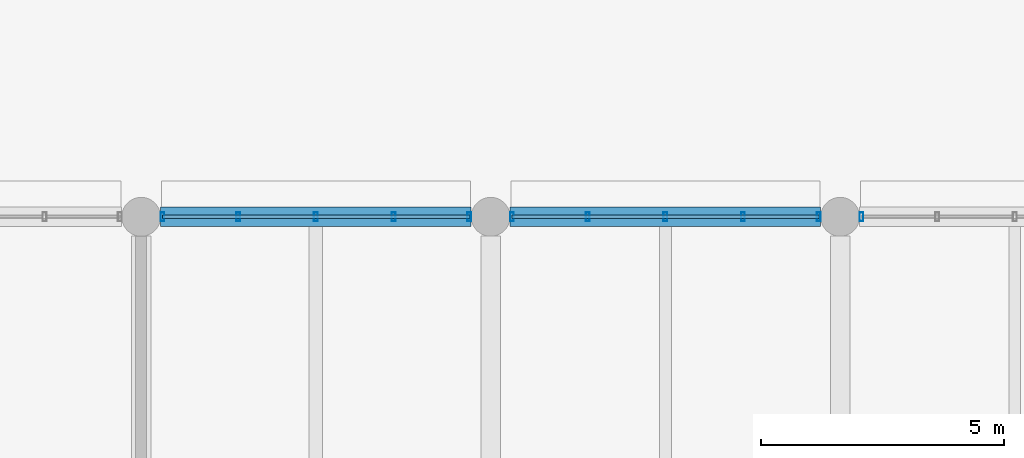
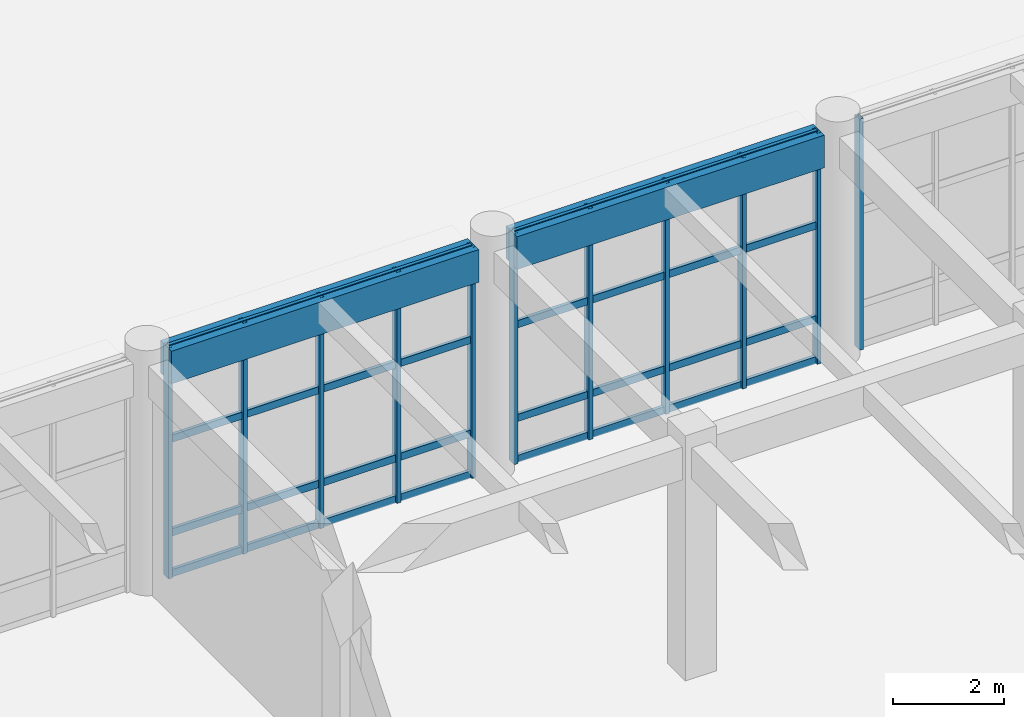
# One storey, part 50 of 160: 19 members, 2 beams, 3 elements without a shape of their own.
"""IFC4 building model written with IfcOpenShell, lengths in metres."""

from ifc_helpers import new_model, si_unit, direction, frame, origin, origin_2d, place, context, subcontext, project, spatial, rectangle, hollow_rectangle, extrude, material, material_profile, profile_set, type_object, element, aggregate, save


model = new_model("IFC4")

# Units and contexts
model_context = context("Model", 3, precision=1e-05, world=origin(), true_north=direction((0.0, 1.0)))
body_context = subcontext(model_context, "Body", "Model", "MODEL_VIEW")
ifc_project = project(units=[si_unit("LENGTHUNIT", "METRE"), si_unit("AREAUNIT", "SQUARE_METRE"), si_unit("VOLUMEUNIT", "CUBIC_METRE"), si_unit("PLANEANGLEUNIT", "RADIAN"), si_unit("MASSUNIT", "GRAM", prefix="KILO")], contexts=[model_context])

# Site, building, storey
site_placement = place(None, origin())
site = spatial("IfcSite", under=ifc_project, at=site_placement, CompositionType="ELEMENT")
building_placement = place(site_placement, origin())
building = spatial("IfcBuilding", under=site, at=building_placement, Name="Thalmaran Polytechnic", CompositionType="ELEMENT")
storey_placement = place(building_placement, origin())
storey = spatial("IfcBuildingStorey", under=building, at=storey_placement, Name="L00", CompositionType="ELEMENT", Elevation=0.0)

# Beams
ifc_material_1 = material(Name="Concrete C40/50", Category="concrete")
ifc_material_profile_1 = material_profile(ifc_material_1, rectangle(XDim=0.39990234375, YDim=0.719970703125, at=origin_2d()), Name="RC 400x720")
ifc_profile_set_1 = profile_set([ifc_material_profile_1], Name="Concrete C40/50")
beam_type = type_object("IfcBeamType", Name="BM-SP01", PredefinedType="SPANDREL", material=ifc_profile_set_1)
for number, where, z_axis, x_axis, name in (
    (1, (29.199951171875, 72.0, 4.72998046875), (1.0, 0.0, 0.0), (0.0, 1.0, 0.0), "Grid Beam SP01 L00 X(4,10)"),
    (2, (36.39990234375, 72.0, 4.72998046875), (1.0, 0.0, 0.0), (0.0, 1.0, 0.0), "Grid Beam SP01 L00 X(5,10)"),
):
    element("IfcBeam", number, at=place(storey_placement, frame(where, z_axis=z_axis, x_axis=x_axis)), inside=storey, type_object=beam_type, Name=name, PredefinedType="SPANDREL", context=body_context, shape_type="SweptSolid", body=[
        extrude(rectangle(XDim=0.39990234375, YDim=0.719970703125, at=origin_2d()), origin(), (0.0, 0.0, 1.0), 6.400146484375),
    ])

# Curtain wall, members
ifc_material_2 = material(Name="Aluminium 6063-T6", Category="aluminium")
curtain_wall_type = type_object("IfcCurtainWallType", Name="CW-SC01", PredefinedType="USERDEFINED", material=ifc_material_2)
curtain_wall_1_placement = place(storey_placement, origin())
curtain_wall_1 = element("IfcCurtainWall", 3, at=curtain_wall_1_placement, inside=storey, type_object=curtain_wall_type, Name="Curtain Wall CW-L00-027", ObjectType="STICK CURTAIN WALL", PredefinedType="USERDEFINED")
ifc_material_profile_2 = material_profile(ifc_material_2, hollow_rectangle(XDim=0.080078125, YDim=0.179931640625, WallThickness=0.0048828125, at=origin_2d()), Name="RHS 180x80x5.0")
ifc_profile_set_2 = profile_set([ifc_material_profile_2], Name="Aluminium 6063-T6")
member_type_1 = type_object("IfcMemberType", Name="CW-MUL1", PredefinedType="MULLION", material=ifc_profile_set_2)
member_1_placement = place(storey_placement, frame((29.239990234375, 72.0, 0.0), z_axis=(0.0, 0.0, 1.0), x_axis=(1.0, 0.0, 0.0)))
member_1 = element("IfcMember", 4, at=member_1_placement, type_object=member_type_1, Name="CW-L00-027 Mullion 1", PredefinedType="MULLION", context=body_context, shape_type="SweptSolid", body=[
    extrude(hollow_rectangle(XDim=0.080078125, YDim=0.179931640625, WallThickness=0.0048828125, at=origin_2d()), origin(), (0.0, 0.0, 1.0), 5.090087890625),
])
member_2_placement = place(storey_placement, frame((30.800048828125, 72.0, 0.0), z_axis=(0.0, 0.0, 1.0), x_axis=(1.0, 0.0, 0.0)))
member_2 = element("IfcMember", 5, at=member_2_placement, type_object=member_type_1, Name="CW-L00-027 Mullion 2", PredefinedType="MULLION", context=body_context, shape_type="SweptSolid", body=[
    extrude(hollow_rectangle(XDim=0.080078125, YDim=0.179931640625, WallThickness=0.0048828125, at=origin_2d()), origin(), (0.0, 0.0, 1.0), 5.090087890625),
])
member_3_placement = place(storey_placement, frame((32.39990234375, 72.0, 0.0), z_axis=(0.0, 0.0, 1.0), x_axis=(1.0, 0.0, 0.0)))
member_3 = element("IfcMember", 6, at=member_3_placement, type_object=member_type_1, Name="CW-L00-027 Mullion 3", PredefinedType="MULLION", context=body_context, shape_type="SweptSolid", body=[
    extrude(hollow_rectangle(XDim=0.080078125, YDim=0.179931640625, WallThickness=0.0048828125, at=origin_2d()), origin(), (0.0, 0.0, 1.0), 5.090087890625),
])
member_4_placement = place(storey_placement, frame((34.0, 72.0, 0.0), z_axis=(0.0, 0.0, 1.0), x_axis=(1.0, 0.0, 0.0)))
member_4 = element("IfcMember", 7, at=member_4_placement, type_object=member_type_1, Name="CW-L00-027 Mullion 4", PredefinedType="MULLION", context=body_context, shape_type="SweptSolid", body=[
    extrude(hollow_rectangle(XDim=0.080078125, YDim=0.179931640625, WallThickness=0.0048828125, at=origin_2d()), origin(), (0.0, 0.0, 1.0), 5.090087890625),
])
member_5_placement = place(storey_placement, frame((35.56005859375, 72.0, 0.0), z_axis=(0.0, 0.0, 1.0), x_axis=(1.0, 0.0, 0.0)))
member_5 = element("IfcMember", 8, at=member_5_placement, type_object=member_type_1, Name="CW-L00-027 Mullion 5", PredefinedType="MULLION", context=body_context, shape_type="SweptSolid", body=[
    extrude(hollow_rectangle(XDim=0.080078125, YDim=0.179931640625, WallThickness=0.0048828125, at=origin_2d()), origin(), (0.0, 0.0, 1.0), 5.090087890625),
])

curtain_wall_2_placement = place(storey_placement, origin())
curtain_wall_2 = element("IfcCurtainWall", 9, at=curtain_wall_2_placement, inside=storey, type_object=curtain_wall_type, Name="Curtain Wall CW-L00-028", ObjectType="STICK CURTAIN WALL", PredefinedType="USERDEFINED")
member_6_placement = place(storey_placement, frame((36.43994140625, 72.0, 0.0), z_axis=(0.0, 0.0, 1.0), x_axis=(1.0, 0.0, 0.0)))
member_6 = element("IfcMember", 10, at=member_6_placement, type_object=member_type_1, Name="CW-L00-028 Mullion 1", PredefinedType="MULLION", context=body_context, shape_type="SweptSolid", body=[
    extrude(hollow_rectangle(XDim=0.080078125, YDim=0.179931640625, WallThickness=0.0048828125, at=origin_2d()), origin(), (0.0, 0.0, 1.0), 5.090087890625),
])
member_7_placement = place(storey_placement, frame((38.0, 72.0, 0.0), z_axis=(0.0, 0.0, 1.0), x_axis=(1.0, 0.0, 0.0)))
member_7 = element("IfcMember", 11, at=member_7_placement, type_object=member_type_1, Name="CW-L00-028 Mullion 2", PredefinedType="MULLION", context=body_context, shape_type="SweptSolid", body=[
    extrude(hollow_rectangle(XDim=0.080078125, YDim=0.179931640625, WallThickness=0.0048828125, at=origin_2d()), origin(), (0.0, 0.0, 1.0), 5.090087890625),
])
member_8_placement = place(storey_placement, frame((39.60009765625, 72.0, 0.0), z_axis=(0.0, 0.0, 1.0), x_axis=(1.0, 0.0, 0.0)))
member_8 = element("IfcMember", 12, at=member_8_placement, type_object=member_type_1, Name="CW-L00-028 Mullion 3", PredefinedType="MULLION", context=body_context, shape_type="SweptSolid", body=[
    extrude(hollow_rectangle(XDim=0.080078125, YDim=0.179931640625, WallThickness=0.0048828125, at=origin_2d()), origin(), (0.0, 0.0, 1.0), 5.090087890625),
])
member_9_placement = place(storey_placement, frame((41.199951171875, 72.0, 0.0), z_axis=(0.0, 0.0, 1.0), x_axis=(1.0, 0.0, 0.0)))
member_9 = element("IfcMember", 13, at=member_9_placement, type_object=member_type_1, Name="CW-L00-028 Mullion 4", PredefinedType="MULLION", context=body_context, shape_type="SweptSolid", body=[
    extrude(hollow_rectangle(XDim=0.080078125, YDim=0.179931640625, WallThickness=0.0048828125, at=origin_2d()), origin(), (0.0, 0.0, 1.0), 5.090087890625),
])
member_10_placement = place(storey_placement, frame((42.760009765625, 72.0, 0.0), z_axis=(0.0, 0.0, 1.0), x_axis=(1.0, 0.0, 0.0)))
member_10 = element("IfcMember", 14, at=member_10_placement, type_object=member_type_1, Name="CW-L00-028 Mullion 5", PredefinedType="MULLION", context=body_context, shape_type="SweptSolid", body=[
    extrude(hollow_rectangle(XDim=0.080078125, YDim=0.179931640625, WallThickness=0.0048828125, at=origin_2d()), origin(), (0.0, 0.0, 1.0), 5.090087890625),
])

# Curtain wall, member
curtain_wall_3_placement = place(storey_placement, origin())
curtain_wall_3 = element("IfcCurtainWall", 15, at=curtain_wall_3_placement, inside=storey, type_object=curtain_wall_type, Name="Curtain Wall CW-L00-029", ObjectType="STICK CURTAIN WALL", PredefinedType="USERDEFINED")
member_11_placement = place(storey_placement, frame((43.639892578125, 72.0, 0.0), z_axis=(0.0, 0.0, 1.0), x_axis=(1.0, 0.0, 0.0)))
member_11 = element("IfcMember", 16, at=member_11_placement, type_object=member_type_1, Name="CW-L00-029 Mullion 1", PredefinedType="MULLION", context=body_context, shape_type="SweptSolid", body=[
    extrude(hollow_rectangle(XDim=0.080078125, YDim=0.179931640625, WallThickness=0.0048828125, at=origin_2d()), origin(), (0.0, 0.0, 1.0), 5.090087890625),
])
aggregate(curtain_wall_3, [member_11])

# Member
ifc_material_profile_3 = material_profile(ifc_material_2, hollow_rectangle(XDim=0.070068359375, YDim=0.159912109375, WallThickness=0.00390625, at=origin_2d()), Name="AL 160x70x4.0")
ifc_profile_set_3 = profile_set([ifc_material_profile_3], Name="Aluminium 6063-T6")
member_type_2 = type_object("IfcMemberType", Name="CW-TRN1", PredefinedType="USERDEFINED", material=ifc_profile_set_3)
member_12_placement = place(storey_placement, frame((29.239990234375, 72.0, 0.06005859375), z_axis=(1.0, 0.0, 0.0), x_axis=(0.0, 1.0, 0.0)))
member_12 = element("IfcMember", 17, at=member_12_placement, type_object=member_type_2, Name="CW-L00-027 Transom 1", ObjectType="TRANSOM", PredefinedType="USERDEFINED", context=body_context, shape_type="SweptSolid", body=[
    extrude(hollow_rectangle(XDim=0.070068359375, YDim=0.159912109375, WallThickness=0.00390625, at=origin_2d()), origin(), (0.0, 0.0, 1.0), 6.320068359375),
])

member_13_placement = place(storey_placement, frame((29.239990234375, 72.0, 0.9599609375), z_axis=(1.0, 0.0, 0.0), x_axis=(0.0, 1.0, 0.0)))
member_13 = element("IfcMember", 18, at=member_13_placement, type_object=member_type_2, Name="CW-L00-027 Transom 2", ObjectType="TRANSOM", PredefinedType="USERDEFINED", context=body_context, shape_type="SweptSolid", body=[
    extrude(hollow_rectangle(XDim=0.070068359375, YDim=0.159912109375, WallThickness=0.00390625, at=origin_2d()), origin(), (0.0, 0.0, 1.0), 6.320068359375),
])

member_14_placement = place(storey_placement, frame((29.239990234375, 72.0, 3.02490234375), z_axis=(1.0, 0.0, 0.0), x_axis=(0.0, 1.0, 0.0)))
member_14 = element("IfcMember", 19, at=member_14_placement, type_object=member_type_2, Name="CW-L00-027 Transom 3", ObjectType="TRANSOM", PredefinedType="USERDEFINED", context=body_context, shape_type="SweptSolid", body=[
    extrude(hollow_rectangle(XDim=0.070068359375, YDim=0.159912109375, WallThickness=0.00390625, at=origin_2d()), origin(), (0.0, 0.0, 1.0), 6.320068359375),
])

member_15_placement = place(storey_placement, frame((29.239990234375, 72.0, 5.030029296875), z_axis=(1.0, 0.0, 0.0), x_axis=(0.0, 1.0, 0.0)))
member_15 = element("IfcMember", 20, at=member_15_placement, type_object=member_type_2, Name="CW-L00-027 Transom 4", ObjectType="TRANSOM", PredefinedType="USERDEFINED", context=body_context, shape_type="SweptSolid", body=[
    extrude(hollow_rectangle(XDim=0.070068359375, YDim=0.159912109375, WallThickness=0.00390625, at=origin_2d()), origin(), (0.0, 0.0, 1.0), 6.320068359375),
])

aggregate(curtain_wall_1, [member_1, member_2, member_3, member_4, member_5, member_12, member_13, member_14, member_15])

member_16_placement = place(storey_placement, frame((36.43994140625, 72.0, 0.06005859375), z_axis=(1.0, 0.0, 0.0), x_axis=(0.0, 1.0, 0.0)))
member_16 = element("IfcMember", 21, at=member_16_placement, type_object=member_type_2, Name="CW-L00-028 Transom 1", ObjectType="TRANSOM", PredefinedType="USERDEFINED", context=body_context, shape_type="SweptSolid", body=[
    extrude(hollow_rectangle(XDim=0.070068359375, YDim=0.159912109375, WallThickness=0.00390625, at=origin_2d()), origin(), (0.0, 0.0, 1.0), 6.320068359375),
])

member_17_placement = place(storey_placement, frame((36.43994140625, 72.0, 0.9599609375), z_axis=(1.0, 0.0, 0.0), x_axis=(0.0, 1.0, 0.0)))
member_17 = element("IfcMember", 22, at=member_17_placement, type_object=member_type_2, Name="CW-L00-028 Transom 2", ObjectType="TRANSOM", PredefinedType="USERDEFINED", context=body_context, shape_type="SweptSolid", body=[
    extrude(hollow_rectangle(XDim=0.070068359375, YDim=0.159912109375, WallThickness=0.00390625, at=origin_2d()), origin(), (0.0, 0.0, 1.0), 6.320068359375),
])

member_18_placement = place(storey_placement, frame((36.43994140625, 72.0, 3.02490234375), z_axis=(1.0, 0.0, 0.0), x_axis=(0.0, 1.0, 0.0)))
member_18 = element("IfcMember", 23, at=member_18_placement, type_object=member_type_2, Name="CW-L00-028 Transom 3", ObjectType="TRANSOM", PredefinedType="USERDEFINED", context=body_context, shape_type="SweptSolid", body=[
    extrude(hollow_rectangle(XDim=0.070068359375, YDim=0.159912109375, WallThickness=0.00390625, at=origin_2d()), origin(), (0.0, 0.0, 1.0), 6.320068359375),
])

member_19_placement = place(storey_placement, frame((36.43994140625, 72.0, 5.030029296875), z_axis=(1.0, 0.0, 0.0), x_axis=(0.0, 1.0, 0.0)))
member_19 = element("IfcMember", 24, at=member_19_placement, type_object=member_type_2, Name="CW-L00-028 Transom 4", ObjectType="TRANSOM", PredefinedType="USERDEFINED", context=body_context, shape_type="SweptSolid", body=[
    extrude(hollow_rectangle(XDim=0.070068359375, YDim=0.159912109375, WallThickness=0.00390625, at=origin_2d()), origin(), (0.0, 0.0, 1.0), 6.320068359375),
])

aggregate(curtain_wall_2, [member_6, member_7, member_8, member_9, member_10, member_16, member_17, member_18, member_19])

save(model, "model.ifc")
